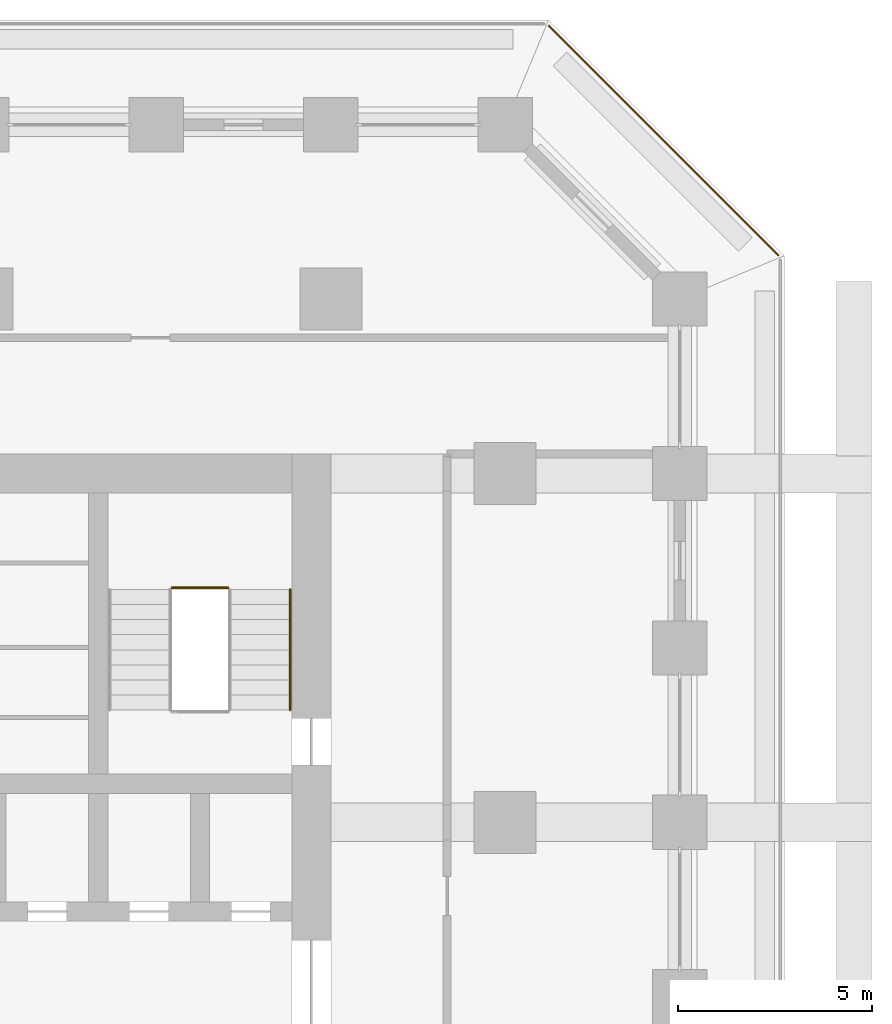
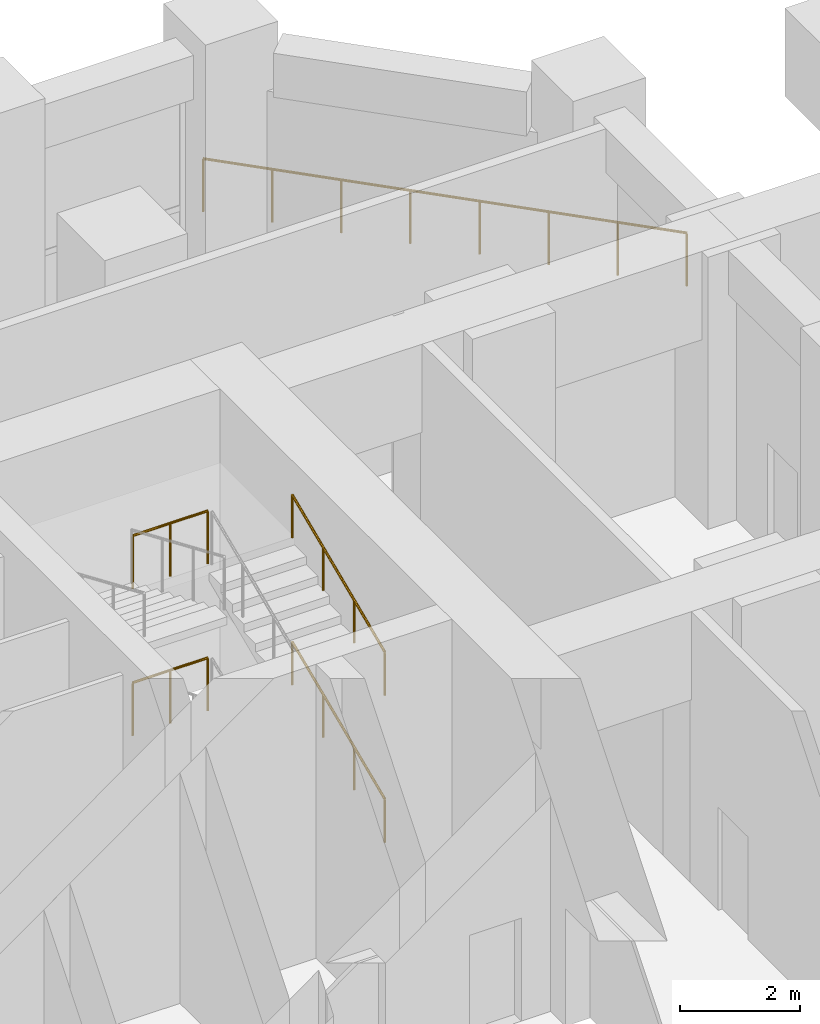
# One storey, part 20 of 21: 5 railings.
"""IFC4 building model written with IfcOpenShell, lengths in metres."""

from ifc_helpers import new_model, si_unit, direction, frame, origin, origin_2d, place, context, subcontext, project, spatial, circle, extrude, material, type_object, element, save


model = new_model("IFC4")

# Units and contexts
model_context = context("Model", 3, precision=1e-05, world=origin(), true_north=direction((0.0, 1.0)))
body_context = subcontext(model_context, "Body", "Model", "MODEL_VIEW")
ifc_project = project(units=[si_unit("LENGTHUNIT", "METRE"), si_unit("AREAUNIT", "SQUARE_METRE"), si_unit("VOLUMEUNIT", "CUBIC_METRE"), si_unit("PLANEANGLEUNIT", "RADIAN"), si_unit("MASSUNIT", "GRAM", prefix="KILO")], contexts=[model_context])

# Site, building, storey
site_placement = place(None, origin())
site = spatial("IfcSite", under=ifc_project, at=site_placement, CompositionType="ELEMENT")
building_placement = place(site_placement, origin())
building = spatial("IfcBuilding", under=site, at=building_placement, Name="Corbel Stack Research Tower", CompositionType="ELEMENT")
storey_placement = place(building_placement, frame((0.0, 0.0, 35.89990234375)))
storey = spatial("IfcBuildingStorey", under=building, at=storey_placement, Name="L08", CompositionType="ELEMENT", Elevation=35.89990234375)

# Railings
ifc_material_1 = material(Name="Steel S355", Category="steel")
railing_type_1 = type_object("IfcRailingType", Name="Stair guard 1100", PredefinedType="GUARDRAIL", material=ifc_material_1)
for number, where, name in (
    (1, (15.35009765625, 15.053955078125, 1.5), "L08 ST-E2 stair guard 2"),
    (2, (15.35009765625, 15.053955078125, 4.5), "L08 ST-E2 stair guard 6"),
):
    element("IfcRailing", number, at=place(storey_placement, frame(where)), inside=storey, type_object=railing_type_1, Name=name, PredefinedType="GUARDRAIL", context=body_context, shape_type="SweptSolid", body=[
        extrude(circle(Radius=0.02392578125, at=origin_2d()), frame((0.0, 0.0, 1.076171875), z_axis=(-1.0, 0.0, 0.0), x_axis=(0.0, -1.0, 0.0)), (0.0, 0.0, 1.0), 1.4501953125),
        extrude(circle(Radius=0.02099609375, at=origin_2d()), origin(), (0.0, 0.0, 1.0), 1.052001953125),
        extrude(circle(Radius=0.02099609375, at=origin_2d()), frame((-0.72509765625, 0.0, 0.0)), (0.0, 0.0, 1.0), 1.052001953125),
        extrude(circle(Radius=0.02099609375, at=origin_2d()), frame((-1.4501953125, 0.0, 0.0)), (0.0, 0.0, 1.0), 1.052001953125),
    ])
ifc_material_2 = material(Name="Steel S355", Category="steel")
railing_type_2 = type_object("IfcRailingType", Name="Stair handrail 900", PredefinedType="HANDRAIL", material=ifc_material_2)
for number, where, name in (
    (3, (16.949951171875, 11.89990234375, 0.166748046875), "L08 ST-E2 stair handrail 1"),
    (4, (16.949951171875, 11.89990234375, 3.166748046875), "L08 ST-E2 stair handrail 3"),
):
    element("IfcRailing", number, at=place(storey_placement, frame(where)), inside=storey, type_object=railing_type_2, Name=name, PredefinedType="HANDRAIL", context=body_context, shape_type="SweptSolid", body=[
        extrude(circle(Radius=0.02392578125, at=origin_2d()), frame((0.0, 0.0, 0.8759765625), z_axis=(0.0, 0.918826996994, 0.394660549834), x_axis=(-1.0, 0.0, 0.0)), (0.0, 0.0, 1.0), 3.378173828125),
        extrude(circle(Radius=0.02099609375, at=origin_2d()), origin(), (0.0, 0.0, 1.0), 0.851806640625),
        extrude(circle(Radius=0.02099609375, at=origin_2d()), frame((0.0, 1.03466796875, 0.4443359375)), (0.0, 0.0, 1.0), 0.851806640625),
        extrude(circle(Radius=0.02099609375, at=origin_2d()), frame((0.0, 2.0693359375, 0.888916015625)), (0.0, 0.0, 1.0), 0.851806640625),
        extrude(circle(Radius=0.02099609375, at=origin_2d()), frame((0.0, 3.10400390625, 1.333251953125)), (0.0, 0.0, 1.0), 0.851806640625),
    ])
ifc_material_3 = material(Name="Powder-coated steel guard", Category="steel")
railing_type_3 = type_object("IfcRailingType", Name="Steel and glass guard 1100", PredefinedType="GUARDRAIL", material=ifc_material_3)
railing_placement = place(storey_placement, frame((29.54931640625, 23.627685546875, 0.0)))
element("IfcRailing", 5, at=railing_placement, inside=storey, type_object=railing_type_3, Name="Loggia guard L08 NE", PredefinedType="GUARDRAIL", context=body_context, shape_type="SweptSolid", body=[
    extrude(circle(Radius=0.02392578125, at=origin_2d()), frame((0.0, 0.0, 1.076171875), z_axis=(-0.707106781187, 0.707106781187, 0.0), x_axis=(-0.707106781187, -0.707106781187, 0.0)), (0.0, 0.0, 1.0), 8.37451171875),
    extrude(circle(Radius=0.02099609375, at=origin_2d()), origin(), (0.0, 0.0, 1.0), 1.052001953125),
    extrude(circle(Radius=0.02099609375, at=origin_2d()), frame((-0.845947265625, 0.845947265625, 0.0)), (0.0, 0.0, 1.0), 1.052001953125),
    extrude(circle(Radius=0.02099609375, at=origin_2d()), frame((-1.69189453125, 1.69189453125, 0.0)), (0.0, 0.0, 1.0), 1.052001953125),
    extrude(circle(Radius=0.02099609375, at=origin_2d()), frame((-2.537841796875, 2.537841796875, 0.0)), (0.0, 0.0, 1.0), 1.052001953125),
    extrude(circle(Radius=0.02099609375, at=origin_2d()), frame((-3.3837890625, 3.3837890625, 0.0)), (0.0, 0.0, 1.0), 1.052001953125),
    extrude(circle(Radius=0.02099609375, at=origin_2d()), frame((-4.229736328125, 4.229736328125, 0.0)), (0.0, 0.0, 1.0), 1.052001953125),
    extrude(circle(Radius=0.02099609375, at=origin_2d()), frame((-5.07568359375, 5.07568359375, 0.0)), (0.0, 0.0, 1.0), 1.052001953125),
    extrude(circle(Radius=0.02099609375, at=origin_2d()), frame((-5.921630859375, 5.921630859375, 0.0)), (0.0, 0.0, 1.0), 1.052001953125),
])

save(model, "model.ifc")
